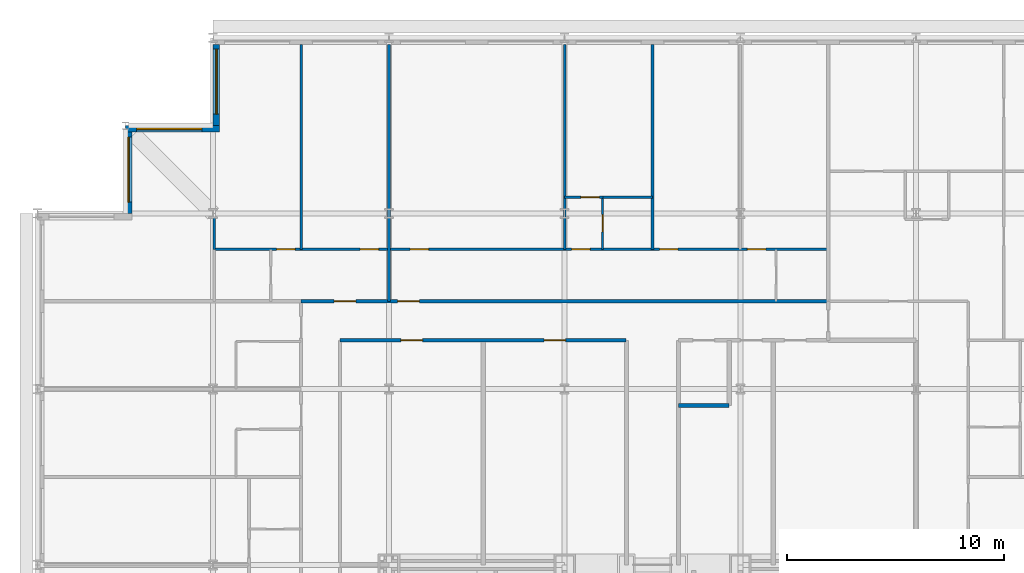
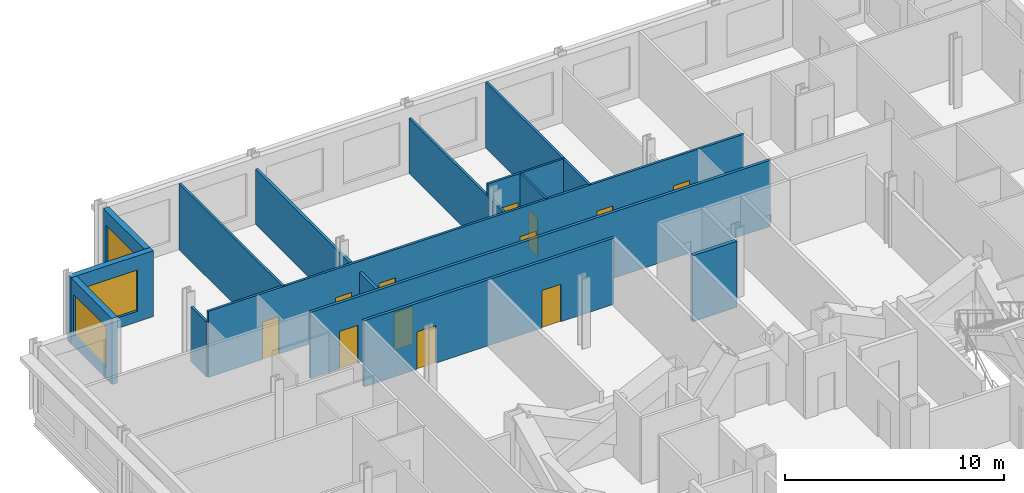
# One storey, part 12 of 15: 15 walls, 12 doors, 3 windows, 15 openings.
"""IFC4 building model written with IfcOpenShell, lengths in metres."""

from ifc_helpers import new_model, si_unit, direction, frame, frame_2d, origin, place, context, subcontext, project, spatial, rectangle, extrude, material, layer, layer_set, type_object, element, fill, save


model = new_model("IFC4")

# Units and contexts
model_context = context("Model", 3, precision=1e-05, world=origin(), true_north=direction((0.0, 1.0)))
body_context = subcontext(model_context, "Body", "Model", "MODEL_VIEW")
ifc_project = project(units=[si_unit("LENGTHUNIT", "METRE"), si_unit("AREAUNIT", "SQUARE_METRE"), si_unit("VOLUMEUNIT", "CUBIC_METRE"), si_unit("PLANEANGLEUNIT", "RADIAN"), si_unit("MASSUNIT", "GRAM", prefix="KILO")], contexts=[model_context])

# Site, building, storey
site_placement = place(None, origin())
site = spatial("IfcSite", under=ifc_project, at=site_placement, CompositionType="ELEMENT")
building_placement = place(site_placement, origin())
building = spatial("IfcBuilding", under=site, at=building_placement, Name="Kopane Lantern Tower", CompositionType="ELEMENT")
storey_placement = place(building_placement, frame((0.0, 0.0, 254.10009765625)))
storey = spatial("IfcBuildingStorey", under=building, at=storey_placement, Name="L65", CompositionType="ELEMENT", Elevation=254.10009765625)

# Walls
ifc_material_1 = material(Name="Gypsum board on steel studs", Category="steel")
ifc_layer_1 = layer(ifc_material_1, 0.1201171875)
ifc_layer_set_1 = layer_set([ifc_layer_1], Name="APARTMENT INTERNAL WALL 120")
wall_type_1 = type_object("IfcWallType", Name="APARTMENT INTERNAL WALL 120", PredefinedType="PARTITIONING", material=ifc_layer_set_1)
wall_1_placement = place(storey_placement, frame((24.300048828125, 55.050048828125, 0.0), z_axis=(0.0, 0.0, 1.0), x_axis=(0.0, 1.0, 0.0)))
element("IfcWall", 1, at=wall_1_placement, inside=storey, type_object=wall_type_1, Name="Apartment Internal Wall 120 L65", PredefinedType="PARTITIONING", context=body_context, shape_type="SweptSolid", body=[
    extrude(rectangle(XDim=9.449951171875, YDim=0.1201171875, at=frame_2d((4.72509765625, 0.0))), origin(), (0.0, 0.0, 1.0), 3.07763671875),
])
wall_2_placement = place(storey_placement, frame((28.35009765625, 55.050048828125, 0.0), z_axis=(0.0, 0.0, 1.0), x_axis=(0.0, 1.0, 0.0)))
element("IfcWall", 2, at=wall_2_placement, inside=storey, type_object=wall_type_1, Name="Apartment Internal Wall 120 L65", PredefinedType="PARTITIONING", context=body_context, shape_type="SweptSolid", body=[
    extrude(rectangle(XDim=9.449951171875, YDim=0.1201171875, at=frame_2d((4.72509765625, 0.0))), origin(), (0.0, 0.0, 1.0), 3.68994140625),
])

# Wall, openings, doors
wall_3_placement = place(storey_placement, frame((8.14990234375, 55.050048828125, 0.0), z_axis=(0.0, 0.0, 1.0), x_axis=(1.0, 0.0, 0.0)))
wall_3 = element("IfcWall", 3, at=wall_3_placement, inside=storey, type_object=wall_type_1, Name="Apartment Internal Wall 120 L65", PredefinedType="PARTITIONING", context=body_context, shape_type="SweptSolid", body=[
    extrude(rectangle(XDim=28.300048828125, YDim=0.1201171875, at=frame_2d((14.14990234375, 0.0))), origin(), (0.0, 0.0, 1.0), 3.68994140625),
])
opening_1_placement = place(wall_3_placement, frame((9.02490234375, 0.0, 0.0)))
opening_1 = element("IfcOpeningElement", 4, at=opening_1_placement, cuts=wall_3, Name="Opening L65-020", PredefinedType="OPENING", context=body_context, shape_type="SweptSolid", body=[
    extrude(rectangle(XDim=0.85009765625, YDim=2.10009765625, at=frame_2d((0.425048828125, 1.050048828125))), frame((0.0, 0.070068359375, 0.0), z_axis=(0.0, -1.0, 0.0), x_axis=(1.0, 0.0, 0.0)), (0.0, 0.0, 1.0), 0.14013671875),
])
opening_2_placement = place(wall_3_placement, frame((16.47509765625, 0.0, 0.0)))
opening_2 = element("IfcOpeningElement", 5, at=opening_2_placement, cuts=wall_3, Name="Opening L65-022", PredefinedType="OPENING", context=body_context, shape_type="SweptSolid", body=[
    extrude(rectangle(XDim=0.85009765625, YDim=2.10009765625, at=frame_2d((0.425048828125, 1.050048828125))), frame((0.0, 0.070068359375, 0.0), z_axis=(0.0, -1.0, 0.0), x_axis=(1.0, 0.0, 0.0)), (0.0, 0.0, 1.0), 0.14013671875),
])
opening_3_placement = place(wall_3_placement, frame((20.52490234375, 0.0, 0.0)))
opening_3 = element("IfcOpeningElement", 6, at=opening_3_placement, cuts=wall_3, Name="Opening L65-023", PredefinedType="OPENING", context=body_context, shape_type="SweptSolid", body=[
    extrude(rectangle(XDim=0.85009765625, YDim=2.10009765625, at=frame_2d((0.425048828125, 1.050048828125))), frame((0.0, 0.070068359375, 0.0), z_axis=(0.0, -1.0, 0.0), x_axis=(1.0, 0.0, 0.0)), (0.0, 0.0, 1.0), 0.14013671875),
])
opening_4_placement = place(wall_3_placement, frame((24.574951171875, 0.0, 0.0)))
opening_4 = element("IfcOpeningElement", 7, at=opening_4_placement, cuts=wall_3, Name="Opening L65-024", PredefinedType="OPENING", context=body_context, shape_type="SweptSolid", body=[
    extrude(rectangle(XDim=0.85009765625, YDim=2.10009765625, at=frame_2d((0.425048828125, 1.050048828125))), frame((0.0, 0.070068359375, 0.0), z_axis=(0.0, -1.0, 0.0), x_axis=(1.0, 0.0, 0.0)), (0.0, 0.0, 1.0), 0.14013671875),
])
opening_5_placement = place(wall_3_placement, frame((6.72509765625, 0.0, 0.0)))
opening_5 = element("IfcOpeningElement", 8, at=opening_5_placement, cuts=wall_3, Name="Opening L65-040", PredefinedType="OPENING", context=body_context, shape_type="SweptSolid", body=[
    extrude(rectangle(XDim=0.85009765625, YDim=2.10009765625, at=frame_2d((0.425048828125, 1.050048828125))), frame((0.0, 0.070068359375, 0.0), z_axis=(0.0, -1.0, 0.0), x_axis=(1.0, 0.0, 0.0)), (0.0, 0.0, 1.0), 0.14013671875),
])
opening_6_placement = place(wall_3_placement, frame((2.875, 0.0, 0.0)))
opening_6 = element("IfcOpeningElement", 9, at=opening_6_placement, cuts=wall_3, Name="Opening L65-042", PredefinedType="OPENING", context=body_context, shape_type="SweptSolid", body=[
    extrude(rectangle(XDim=0.85009765625, YDim=2.10009765625, at=frame_2d((0.425048828125, 1.050048828125))), frame((0.0, 0.070068359375, 0.0), z_axis=(0.0, -1.0, 0.0), x_axis=(1.0, 0.0, 0.0)), (0.0, 0.0, 1.0), 0.14013671875),
])
ifc_material_2 = material(Name="Timber door set", Category="wood")
door_type_1 = type_object("IfcDoorType", Name="DOOR D4 850x2100", OperationType="SINGLE_SWING_LEFT", PredefinedType="DOOR", material=ifc_material_2)
door_1_placement = place(opening_1_placement, origin())
door_1 = element("IfcDoor", 10, at=door_1_placement, inside=storey, type_object=door_type_1, Name="Door L65-020", OperationType="SINGLE_SWING_LEFT", OverallHeight=2.10009765625, OverallWidth=0.85009765625, PredefinedType="DOOR", context=body_context, shape_type="SweptSolid", body=[
    extrude(rectangle(XDim=0.85009765625, YDim=2.10009765625, at=frame_2d((0.425048828125, 1.050048828125))), frame((0.0, 0.02490234375, 0.0), z_axis=(0.0, -1.0, 0.0), x_axis=(1.0, 0.0, 0.0)), (0.0, 0.0, 1.0), 0.050048828125),
])
fill(opening_1, door_1)
door_2_placement = place(opening_2_placement, origin())
door_2 = element("IfcDoor", 11, at=door_2_placement, inside=storey, type_object=door_type_1, Name="Door L65-022", OperationType="SINGLE_SWING_LEFT", OverallHeight=2.10009765625, OverallWidth=0.85009765625, PredefinedType="DOOR", context=body_context, shape_type="SweptSolid", body=[
    extrude(rectangle(XDim=0.85009765625, YDim=2.10009765625, at=frame_2d((0.425048828125, 1.050048828125))), frame((0.0, 0.02490234375, 0.0), z_axis=(0.0, -1.0, 0.0), x_axis=(1.0, 0.0, 0.0)), (0.0, 0.0, 1.0), 0.050048828125),
])
fill(opening_2, door_2)
door_3_placement = place(opening_3_placement, origin())
door_3 = element("IfcDoor", 12, at=door_3_placement, inside=storey, type_object=door_type_1, Name="Door L65-023", OperationType="SINGLE_SWING_LEFT", OverallHeight=2.10009765625, OverallWidth=0.85009765625, PredefinedType="DOOR", context=body_context, shape_type="SweptSolid", body=[
    extrude(rectangle(XDim=0.85009765625, YDim=2.10009765625, at=frame_2d((0.425048828125, 1.050048828125))), frame((0.0, 0.02490234375, 0.0), z_axis=(0.0, -1.0, 0.0), x_axis=(1.0, 0.0, 0.0)), (0.0, 0.0, 1.0), 0.050048828125),
])
fill(opening_3, door_3)
door_4_placement = place(opening_4_placement, origin())
door_4 = element("IfcDoor", 13, at=door_4_placement, inside=storey, type_object=door_type_1, Name="Door L65-024", OperationType="SINGLE_SWING_LEFT", OverallHeight=2.10009765625, OverallWidth=0.85009765625, PredefinedType="DOOR", context=body_context, shape_type="SweptSolid", body=[
    extrude(rectangle(XDim=0.85009765625, YDim=2.10009765625, at=frame_2d((0.425048828125, 1.050048828125))), frame((0.0, 0.02490234375, 0.0), z_axis=(0.0, -1.0, 0.0), x_axis=(1.0, 0.0, 0.0)), (0.0, 0.0, 1.0), 0.050048828125),
])
fill(opening_4, door_4)
door_5_placement = place(opening_5_placement, origin())
door_5 = element("IfcDoor", 14, at=door_5_placement, inside=storey, type_object=door_type_1, Name="Door L65-040", OperationType="SINGLE_SWING_LEFT", OverallHeight=2.10009765625, OverallWidth=0.85009765625, PredefinedType="DOOR", context=body_context, shape_type="SweptSolid", body=[
    extrude(rectangle(XDim=0.85009765625, YDim=2.10009765625, at=frame_2d((0.425048828125, 1.050048828125))), frame((0.0, 0.02490234375, 0.0), z_axis=(0.0, -1.0, 0.0), x_axis=(1.0, 0.0, 0.0)), (0.0, 0.0, 1.0), 0.050048828125),
])
fill(opening_5, door_5)
door_6_placement = place(opening_6_placement, origin())
door_6 = element("IfcDoor", 15, at=door_6_placement, inside=storey, type_object=door_type_1, Name="Door L65-042", OperationType="SINGLE_SWING_RIGHT", OverallHeight=2.10009765625, OverallWidth=0.85009765625, PredefinedType="DOOR", context=body_context, shape_type="SweptSolid", body=[
    extrude(rectangle(XDim=0.85009765625, YDim=2.10009765625, at=frame_2d((0.425048828125, 1.050048828125))), frame((0.0, 0.02490234375, 0.0), z_axis=(0.0, -1.0, 0.0), x_axis=(1.0, 0.0, 0.0)), (0.0, 0.0, 1.0), 0.050048828125),
])
fill(opening_6, door_6)

# Wall
wall_4_placement = place(storey_placement, frame((12.14990234375, 55.050048828125, 0.0), z_axis=(0.0, 0.0, 1.0), x_axis=(0.0, 1.0, 0.0)))
element("IfcWall", 16, at=wall_4_placement, inside=storey, type_object=wall_type_1, Name="Apartment Internal Wall 120 L65", PredefinedType="PARTITIONING", context=body_context, shape_type="SweptSolid", body=[
    extrude(rectangle(XDim=9.449951171875, YDim=0.1201171875, at=frame_2d((4.72509765625, 0.0))), origin(), (0.0, 0.0, 1.0), 3.68994140625),
])

# Wall, opening, door
wall_5_placement = place(storey_placement, frame((24.300048828125, 57.449951171875, 0.0), z_axis=(0.0, 0.0, 1.0), x_axis=(1.0, 0.0, 0.0)))
wall_5 = element("IfcWall", 17, at=wall_5_placement, inside=storey, type_object=wall_type_1, Name="Apartment Internal Wall 120 L65", PredefinedType="PARTITIONING", context=body_context, shape_type="SweptSolid", body=[
    extrude(rectangle(XDim=1.760009765625, YDim=0.1201171875, at=frame_2d((0.8798828125, 0.0))), origin(), (0.0, 0.0, 1.0), 3.68994140625),
])
opening_7_placement = place(wall_5_placement, frame((0.75, 0.0, 0.0)))
opening_7 = element("IfcOpeningElement", 18, at=opening_7_placement, cuts=wall_5, Name="Opening L65-061", PredefinedType="OPENING", context=body_context, shape_type="SweptSolid", body=[
    extrude(rectangle(XDim=0.85009765625, YDim=2.10009765625, at=frame_2d((0.425048828125, 1.050048828125))), frame((0.0, 0.070068359375, 0.0), z_axis=(0.0, -1.0, 0.0), x_axis=(1.0, 0.0, 0.0)), (0.0, 0.0, 1.0), 0.14013671875),
])
door_7_placement = place(opening_7_placement, origin())
door_7 = element("IfcDoor", 19, at=door_7_placement, inside=storey, type_object=door_type_1, Name="Door L65-061", OperationType="SINGLE_SWING_LEFT", OverallHeight=2.10009765625, OverallWidth=0.85009765625, PredefinedType="DOOR", context=body_context, shape_type="SweptSolid", body=[
    extrude(rectangle(XDim=0.85009765625, YDim=2.10009765625, at=frame_2d((0.425048828125, 1.050048828125))), frame((0.0, 0.02490234375, 0.0), z_axis=(0.0, -1.0, 0.0), x_axis=(1.0, 0.0, 0.0)), (0.0, 0.0, 1.0), 0.050048828125),
])
fill(opening_7, door_7)

# Wall
wall_6_placement = place(storey_placement, frame((8.14990234375, 55.050048828125, 0.0), z_axis=(0.0, 0.0, 1.0), x_axis=(0.0, 1.0, 0.0)))
element("IfcWall", 20, at=wall_6_placement, inside=storey, type_object=wall_type_1, Name="Apartment Internal Wall 120 L65", PredefinedType="PARTITIONING", context=body_context, shape_type="SweptSolid", body=[
    extrude(rectangle(XDim=1.447021484375, YDim=0.1201171875, at=frame_2d((0.7236328125, 0.0))), origin(), (0.0, 0.0, 1.0), 3.07763671875),
])

# Wall, opening, door
ifc_material_3 = material(Name="Moisture-resistant board on steel studs", Category="steel")
ifc_layer_2 = layer(ifc_material_3, 0.10009765625)
ifc_layer_set_2 = layer_set([ifc_layer_2], Name="BATHROOM WALL 100")
wall_type_2 = type_object("IfcWallType", Name="BATHROOM WALL 100", PredefinedType="PARTITIONING", material=ifc_layer_set_2)
wall_7_placement = place(storey_placement, frame((26.050048828125, 55.050048828125, 0.0), z_axis=(0.0, 0.0, 1.0), x_axis=(0.0, 1.0, 0.0)))
wall_7 = element("IfcWall", 21, at=wall_7_placement, inside=storey, type_object=wall_type_2, Name="Bathroom Wall 100 L65", PredefinedType="PARTITIONING", context=body_context, shape_type="SweptSolid", body=[
    extrude(rectangle(XDim=2.39990234375, YDim=0.10009765625, at=frame_2d((1.199951171875, 0.0))), origin(), (0.0, 0.0, 1.0), 3.68994140625),
])
opening_8_placement = place(wall_7_placement, frame((0.800048828125, 0.0, 0.0)))
opening_8 = element("IfcOpeningElement", 22, at=opening_8_placement, cuts=wall_7, Name="Opening L65-021", PredefinedType="OPENING", context=body_context, shape_type="SweptSolid", body=[
    extrude(rectangle(XDim=0.800048828125, YDim=2.10009765625, at=frame_2d((0.39990234375, 1.050048828125))), frame((0.0, 0.06005859375, 0.0), z_axis=(0.0, -1.0, 0.0), x_axis=(1.0, 0.0, 0.0)), (0.0, 0.0, 1.0), 0.1201171875),
])
ifc_material_4 = material(Name="Timber door set", Category="wood")
door_type_2 = type_object("IfcDoorType", Name="DOOR D2 800x2100", OperationType="SINGLE_SWING_LEFT", PredefinedType="DOOR", material=ifc_material_4)
door_8_placement = place(opening_8_placement, origin())
door_8 = element("IfcDoor", 23, at=door_8_placement, inside=storey, type_object=door_type_2, Name="Door L65-021", OperationType="SINGLE_SWING_RIGHT", OverallHeight=2.10009765625, OverallWidth=0.800048828125, PredefinedType="DOOR", context=body_context, shape_type="SweptSolid", body=[
    extrude(rectangle(XDim=0.800048828125, YDim=2.10009765625, at=frame_2d((0.39990234375, 1.050048828125))), frame((0.0, 0.02490234375, 0.0), z_axis=(0.0, -1.0, 0.0), x_axis=(1.0, 0.0, 0.0)), (0.0, 0.0, 1.0), 0.050048828125),
])
fill(opening_8, door_8)

# Wall
wall_8_placement = place(storey_placement, frame((26.050048828125, 57.449951171875, 0.0), z_axis=(0.0, 0.0, 1.0), x_axis=(1.0, 0.0, 0.0)))
element("IfcWall", 24, at=wall_8_placement, inside=storey, type_object=wall_type_2, Name="Bathroom Wall 100 L65", PredefinedType="PARTITIONING", context=body_context, shape_type="SweptSolid", body=[
    extrude(rectangle(XDim=2.300048828125, YDim=0.10009765625, at=frame_2d((1.14990234375, 0.0))), origin(), (0.0, 0.0, 1.0), 3.68994140625),
])

# Wall, openings, doors
ifc_material_5 = material(Name="Gypsum board on steel studs", Category="steel")
ifc_layer_3 = layer(ifc_material_5, 0.14990234375)
ifc_layer_set_3 = layer_set([ifc_layer_3], Name="CORRIDOR WALL 150 EI 60")
wall_type_3 = type_object("IfcWallType", Name="CORRIDOR WALL 150 EI 60", PredefinedType="PARTITIONING", material=ifc_layer_set_3)
wall_9_placement = place(storey_placement, frame((12.14990234375, 52.64990234375, 0.0), z_axis=(0.0, 0.0, 1.0), x_axis=(1.0, 0.0, 0.0)))
wall_9 = element("IfcWall", 25, at=wall_9_placement, inside=storey, type_object=wall_type_3, Name="Corridor Wall 150 Ei 60 L65", PredefinedType="PARTITIONING", context=body_context, shape_type="SweptSolid", body=[
    extrude(rectangle(XDim=24.300048828125, YDim=0.14990234375, at=frame_2d((12.14990234375, 0.0))), origin(), (0.0, 0.0, 1.0), 3.68994140625),
])
opening_9_placement = place(wall_9_placement, frame((4.449951171875, 0.0, 0.0)))
opening_9 = element("IfcOpeningElement", 26, at=opening_9_placement, cuts=wall_9, Name="Opening L65-019", PredefinedType="OPENING", context=body_context, shape_type="SweptSolid", body=[
    extrude(rectangle(XDim=1.0, YDim=2.10009765625, at=frame_2d((0.5, 1.050048828125))), frame((0.0, 0.0849609375, 0.0), z_axis=(0.0, -1.0, 0.0), x_axis=(1.0, 0.0, 0.0)), (0.0, 0.0, 1.0), 0.169921875),
])
opening_10_placement = place(wall_9_placement, frame((1.52490234375, 0.0, 0.0)))
opening_10 = element("IfcOpeningElement", 27, at=opening_10_placement, cuts=wall_9, Name="Opening L65-039", PredefinedType="OPENING", context=body_context, shape_type="SweptSolid", body=[
    extrude(rectangle(XDim=1.0, YDim=2.10009765625, at=frame_2d((0.5, 1.050048828125))), frame((0.0, 0.0849609375, 0.0), z_axis=(0.0, -1.0, 0.0), x_axis=(1.0, 0.0, 0.0)), (0.0, 0.0, 1.0), 0.169921875),
])
ifc_material_6 = material(Name="Steel door set", Category="steel")
door_type_3 = type_object("IfcDoorType", Name="DOOR D3 1000x2100 FD30S", OperationType="SINGLE_SWING_LEFT", PredefinedType="DOOR", material=ifc_material_6)
door_9_placement = place(opening_9_placement, origin())
door_9 = element("IfcDoor", 28, at=door_9_placement, inside=storey, type_object=door_type_3, Name="Door L65-019", OperationType="SINGLE_SWING_LEFT", OverallHeight=2.10009765625, OverallWidth=1.0, PredefinedType="DOOR", context=body_context, shape_type="SweptSolid", body=[
    extrude(rectangle(XDim=1.0, YDim=2.10009765625, at=frame_2d((0.5, 1.050048828125))), frame((0.0, 0.02490234375, 0.0), z_axis=(0.0, -1.0, 0.0), x_axis=(1.0, 0.0, 0.0)), (0.0, 0.0, 1.0), 0.050048828125),
])
fill(opening_9, door_9)
door_10_placement = place(opening_10_placement, origin())
door_10 = element("IfcDoor", 29, at=door_10_placement, inside=storey, type_object=door_type_3, Name="Door L65-039", OperationType="SINGLE_SWING_RIGHT", OverallHeight=2.10009765625, OverallWidth=1.0, PredefinedType="DOOR", context=body_context, shape_type="SweptSolid", body=[
    extrude(rectangle(XDim=1.0, YDim=2.10009765625, at=frame_2d((0.5, 1.050048828125))), frame((0.0, 0.02490234375, 0.0), z_axis=(0.0, -1.0, 0.0), x_axis=(1.0, 0.0, 0.0)), (0.0, 0.0, 1.0), 0.050048828125),
])
fill(opening_10, door_10)

wall_10_placement = place(storey_placement, frame((13.949951171875, 50.85009765625, 0.0), z_axis=(0.0, 0.0, 1.0), x_axis=(1.0, 0.0, 0.0)))
wall_10 = element("IfcWall", 30, at=wall_10_placement, inside=storey, type_object=wall_type_3, Name="Corridor Wall 150 Ei 60 L65", PredefinedType="PARTITIONING", context=body_context, shape_type="SweptSolid", body=[
    extrude(rectangle(XDim=13.18994140625, YDim=0.14990234375, at=frame_2d((6.594970703125, 0.0))), origin(), (0.0, 0.0, 1.0), 3.68994140625),
])
opening_11_placement = place(wall_10_placement, frame((2.800048828125, 0.0, 0.0)))
opening_11 = element("IfcOpeningElement", 31, at=opening_11_placement, cuts=wall_10, Name="Opening L65-003", PredefinedType="OPENING", context=body_context, shape_type="SweptSolid", body=[
    extrude(rectangle(XDim=1.0, YDim=2.10009765625, at=frame_2d((0.5, 1.050048828125))), frame((0.0, 0.0849609375, 0.0), z_axis=(0.0, -1.0, 0.0), x_axis=(1.0, 0.0, 0.0)), (0.0, 0.0, 1.0), 0.169921875),
])
opening_12_placement = place(wall_10_placement, frame((9.39990234375, 0.0, 0.0)))
opening_12 = element("IfcOpeningElement", 32, at=opening_12_placement, cuts=wall_10, Name="Opening L65-004", PredefinedType="OPENING", context=body_context, shape_type="SweptSolid", body=[
    extrude(rectangle(XDim=1.0, YDim=2.10009765625, at=frame_2d((0.5, 1.050048828125))), frame((0.0, 0.0849609375, 0.0), z_axis=(0.0, -1.0, 0.0), x_axis=(1.0, 0.0, 0.0)), (0.0, 0.0, 1.0), 0.169921875),
])
ifc_material_7 = material(Name="Steel door set", Category="steel")
door_type_4 = type_object("IfcDoorType", Name="DOOR D5 1000x2100 FD60", OperationType="SINGLE_SWING_LEFT", PredefinedType="DOOR", material=ifc_material_7)
door_11_placement = place(opening_11_placement, origin())
door_11 = element("IfcDoor", 33, at=door_11_placement, inside=storey, type_object=door_type_4, Name="Door L65-003", OperationType="SINGLE_SWING_RIGHT", OverallHeight=2.10009765625, OverallWidth=1.0, PredefinedType="DOOR", context=body_context, shape_type="SweptSolid", body=[
    extrude(rectangle(XDim=1.0, YDim=2.10009765625, at=frame_2d((0.5, 1.050048828125))), frame((0.0, 0.02490234375, 0.0), z_axis=(0.0, -1.0, 0.0), x_axis=(1.0, 0.0, 0.0)), (0.0, 0.0, 1.0), 0.050048828125),
])
fill(opening_11, door_11)
door_12_placement = place(opening_12_placement, origin())
door_12 = element("IfcDoor", 34, at=door_12_placement, inside=storey, type_object=door_type_4, Name="Door L65-004", OperationType="SINGLE_SWING_LEFT", OverallHeight=2.10009765625, OverallWidth=1.0, PredefinedType="DOOR", context=body_context, shape_type="SweptSolid", body=[
    extrude(rectangle(XDim=1.0, YDim=2.10009765625, at=frame_2d((0.5, 1.050048828125))), frame((0.0, 0.02490234375, 0.0), z_axis=(0.0, -1.0, 0.0), x_axis=(1.0, 0.0, 0.0)), (0.0, 0.0, 1.0), 0.050048828125),
])
fill(opening_12, door_12)

# Wall
ifc_material_8 = material(Name="Gypsum board on steel studs", Category="steel")
ifc_layer_4 = layer(ifc_material_8, 0.14990234375)
ifc_layer_set_4 = layer_set([ifc_layer_4], Name="DEMISING WALL 150 EI 60")
wall_type_4 = type_object("IfcWallType", Name="DEMISING WALL 150 EI 60", PredefinedType="PARTITIONING", material=ifc_layer_set_4)
wall_11_placement = place(storey_placement, frame((16.199951171875, 52.64990234375, 0.0), z_axis=(0.0, 0.0, 1.0), x_axis=(0.0, 1.0, 0.0)))
element("IfcWall", 35, at=wall_11_placement, inside=storey, type_object=wall_type_4, Name="Demising Wall 150 Ei 60 L65", PredefinedType="PARTITIONING", context=body_context, shape_type="SweptSolid", body=[
    extrude(rectangle(XDim=11.85009765625, YDim=0.14990234375, at=frame_2d((5.925048828125, 0.0))), origin(), (0.0, 0.0, 1.0), 3.07763671875),
])

# Wall, opening, window
ifc_material_9 = material(Name="Terracotta rainscreen on light steel framing", Category="masonry")
ifc_layer_5 = layer(ifc_material_9, 0.300048828125)
ifc_layer_set_5 = layer_set([ifc_layer_5], Name="EXTERNAL WALL EW1 300 TERRACOTTA")
wall_type_5 = type_object("IfcWallType", Name="EXTERNAL WALL EW1 300 TERRACOTTA", PredefinedType="SOLIDWALL", material=ifc_layer_set_5)
wall_12_placement = place(storey_placement, frame((8.25, 64.5, 0.0), z_axis=(0.0, 0.0, 1.0), x_axis=(0.0, -1.0, 0.0)))
wall_12 = element("IfcWall", 36, at=wall_12_placement, inside=storey, type_object=wall_type_5, Name="External wall W L65", PredefinedType="SOLIDWALL", context=body_context, shape_type="SweptSolid", body=[
    extrude(rectangle(XDim=3.75, YDim=0.300048828125, at=frame_2d((1.875, 0.0))), origin(), (0.0, 0.0, 1.0), 3.68994140625),
])
opening_13_placement = place(wall_12_placement, frame((0.22509765625, 0.0, 0.60009765625)))
opening_13 = element("IfcOpeningElement", 37, at=opening_13_placement, cuts=wall_12, Name="Opening WR300230", PredefinedType="OPENING", context=body_context, shape_type="SweptSolid", body=[
    extrude(rectangle(XDim=3.0, YDim=2.300048828125, at=frame_2d((1.5, 1.14990234375))), frame((0.0, 0.159912109375, 0.0), z_axis=(0.0, -1.0, 0.0), x_axis=(1.0, 0.0, 0.0)), (0.0, 0.0, 1.0), 0.320068359375),
])
ifc_material_10 = material(Name="Aluminium and clear glass", Category="aluminium")
window_type = type_object("IfcWindowType", Name="RIBBON WINDOW WR300230 3000x2300", PartitioningType="SINGLE_PANEL", PredefinedType="WINDOW", material=ifc_material_10)
window_1_placement = place(opening_13_placement, origin())
window_1 = element("IfcWindow", 38, at=window_1_placement, inside=storey, type_object=window_type, Name="Window W L65", OverallHeight=2.300048828125, OverallWidth=3.0, PartitioningType="SINGLE_PANEL", PredefinedType="WINDOW", context=body_context, shape_type="SweptSolid", body=[
    extrude(rectangle(XDim=3.0, YDim=2.300048828125, at=frame_2d((1.5, 1.14990234375))), frame((0.0, 0.030029296875, 0.0), z_axis=(0.0, -1.0, 0.0), x_axis=(1.0, 0.0, 0.0)), (0.0, 0.0, 1.0), 0.06005859375),
])
fill(opening_13, window_1)

wall_13_placement = place(storey_placement, frame((8.39990234375, 60.60009765625, 0.0), z_axis=(0.0, 0.0, 1.0), x_axis=(-1.0, 0.0, 0.0)))
wall_13 = element("IfcWall", 39, at=wall_13_placement, inside=storey, type_object=wall_type_5, Name="External wall N L65", PredefinedType="SOLIDWALL", context=body_context, shape_type="SweptSolid", body=[
    extrude(rectangle(XDim=4.349853515625, YDim=0.300048828125, at=frame_2d((2.1748046875, 0.0))), origin(), (0.0, 0.0, 1.0), 3.68994140625),
])
opening_14_placement = place(wall_13_placement, frame((0.824951171875, 0.0, 0.60009765625)))
opening_14 = element("IfcOpeningElement", 40, at=opening_14_placement, cuts=wall_13, Name="Opening WR300230", PredefinedType="OPENING", context=body_context, shape_type="SweptSolid", body=[
    extrude(rectangle(XDim=3.0, YDim=2.300048828125, at=frame_2d((1.5, 1.14990234375))), frame((0.0, 0.159912109375, 0.0), z_axis=(0.0, -1.0, 0.0), x_axis=(1.0, 0.0, 0.0)), (0.0, 0.0, 1.0), 0.320068359375),
])
window_2_placement = place(opening_14_placement, origin())
window_2 = element("IfcWindow", 41, at=window_2_placement, inside=storey, type_object=window_type, Name="Window N L65", OverallHeight=2.300048828125, OverallWidth=3.0, PartitioningType="SINGLE_PANEL", PredefinedType="WINDOW", context=body_context, shape_type="SweptSolid", body=[
    extrude(rectangle(XDim=3.0, YDim=2.300048828125, at=frame_2d((1.5, 1.14990234375))), frame((0.0, 0.030029296875, 0.0), z_axis=(0.0, -1.0, 0.0), x_axis=(1.0, 0.0, 0.0)), (0.0, 0.0, 1.0), 0.06005859375),
])
fill(opening_14, window_2)

wall_14_placement = place(storey_placement, frame((4.199951171875, 60.449951171875, 0.0), z_axis=(0.0, 0.0, 1.0), x_axis=(0.0, -1.0, 0.0)))
wall_14 = element("IfcWall", 42, at=wall_14_placement, inside=storey, type_object=wall_type_5, Name="External wall W L65", PredefinedType="SOLIDWALL", context=body_context, shape_type="SweptSolid", body=[
    extrude(rectangle(XDim=3.75, YDim=0.300048828125, at=frame_2d((1.875, 0.0))), origin(), (0.0, 0.0, 1.0), 3.68994140625),
])
opening_15_placement = place(wall_14_placement, frame((0.22509765625, 0.0, 0.60009765625)))
opening_15 = element("IfcOpeningElement", 43, at=opening_15_placement, cuts=wall_14, Name="Opening WR300230", PredefinedType="OPENING", context=body_context, shape_type="SweptSolid", body=[
    extrude(rectangle(XDim=3.0, YDim=2.300048828125, at=frame_2d((1.5, 1.14990234375))), frame((0.0, 0.159912109375, 0.0), z_axis=(0.0, -1.0, 0.0), x_axis=(1.0, 0.0, 0.0)), (0.0, 0.0, 1.0), 0.320068359375),
])
window_3_placement = place(opening_15_placement, origin())
window_3 = element("IfcWindow", 44, at=window_3_placement, inside=storey, type_object=window_type, Name="Window W L65", OverallHeight=2.300048828125, OverallWidth=3.0, PartitioningType="SINGLE_PANEL", PredefinedType="WINDOW", context=body_context, shape_type="SweptSolid", body=[
    extrude(rectangle(XDim=3.0, YDim=2.300048828125, at=frame_2d((1.5, 1.14990234375))), frame((0.0, 0.030029296875, 0.0), z_axis=(0.0, -1.0, 0.0), x_axis=(1.0, 0.0, 0.0)), (0.0, 0.0, 1.0), 0.06005859375),
])
fill(opening_15, window_3)

# Wall
ifc_material_11 = material(Name="Concrete masonry", Category="masonry")
ifc_layer_6 = layer(ifc_material_11, 0.199951171875)
ifc_layer_set_6 = layer_set([ifc_layer_6], Name="PLANT ROOM WALL 200 EI 120")
wall_type_6 = type_object("IfcWallType", Name="PLANT ROOM WALL 200 EI 120", PredefinedType="SOLIDWALL", material=ifc_layer_set_6)
wall_15_placement = place(storey_placement, frame((29.550048828125, 47.85009765625, 0.0), z_axis=(0.0, 0.0, 1.0), x_axis=(1.0, 0.0, 0.0)))
element("IfcWall", 45, at=wall_15_placement, inside=storey, type_object=wall_type_6, Name="Plant Room Wall 200 Ei 120 L65", PredefinedType="SOLIDWALL", context=body_context, shape_type="SweptSolid", body=[
    extrude(rectangle(XDim=2.333251953125, YDim=0.199951171875, at=frame_2d((1.16650390625, 0.0))), origin(), (0.0, 0.0, 1.0), 3.68994140625),
])

save(model, "model.ifc")
